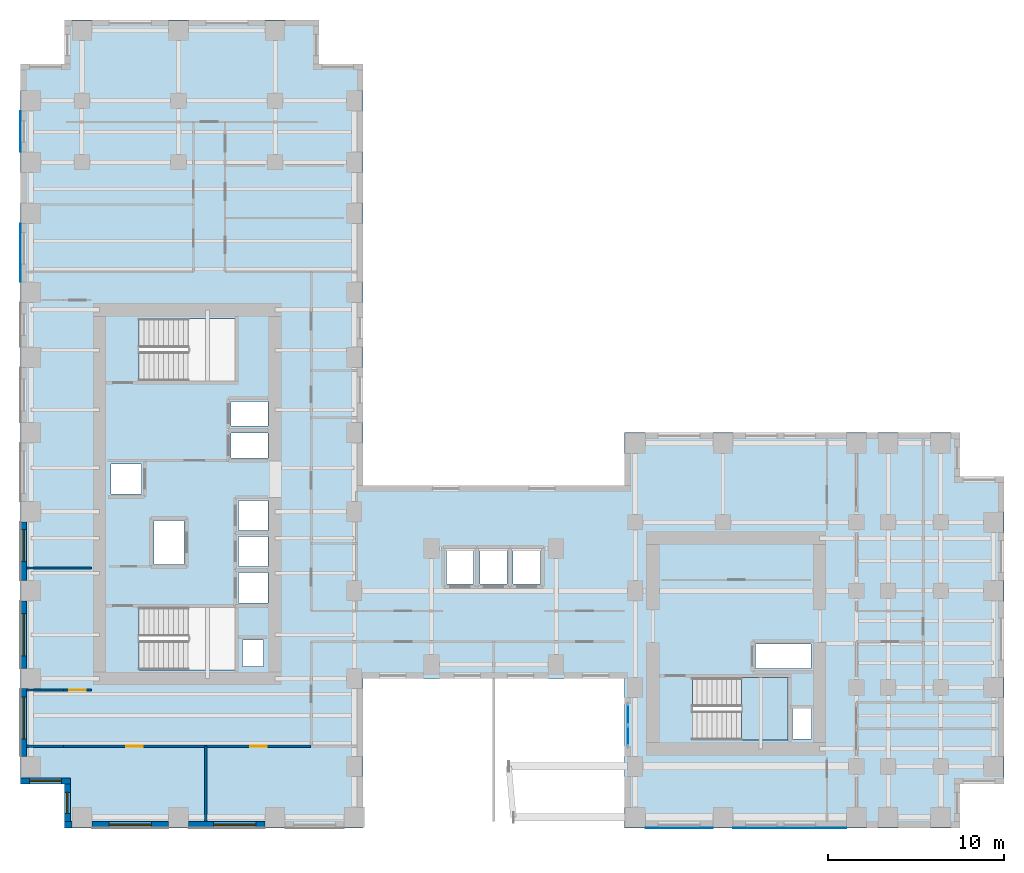
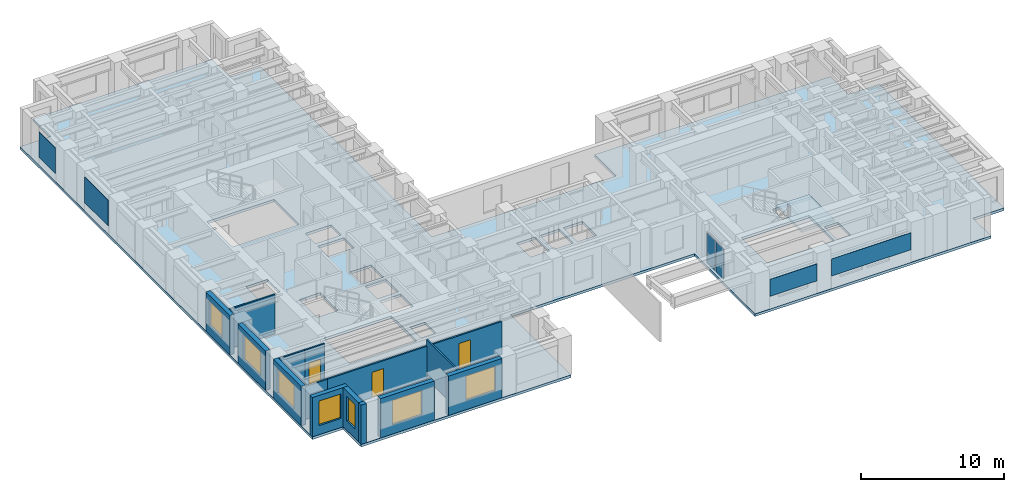
# One storey, part 6 of 14: 15 walls, 7 windows, 6 plates, 3 doors, 2 slabs, 10 openings, 2 elements without a shape of their own.
"""IFC4 building model written with IfcOpenShell, lengths in metres."""

from ifc_helpers import new_model, si_unit, direction, frame, frame_2d, origin, origin_2d, place, context, subcontext, project, spatial, polyline, rectangle, outline, extrude, source, transform, mapped, material, layer, layer_set, type_object, element, fill, aggregate, save


model = new_model("IFC4")

# Units and contexts
model_context = context("Model", 3, precision=1e-05, world=origin(), true_north=direction((0.0, 1.0)))
body_context = subcontext(model_context, "Body", "Model", "MODEL_VIEW")
ifc_project = project(units=[si_unit("LENGTHUNIT", "METRE"), si_unit("AREAUNIT", "SQUARE_METRE"), si_unit("VOLUMEUNIT", "CUBIC_METRE"), si_unit("PLANEANGLEUNIT", "RADIAN"), si_unit("MASSUNIT", "GRAM", prefix="KILO")], contexts=[model_context])

# Site, building, storey
site_placement = place(None, origin())
site = spatial("IfcSite", under=ifc_project, at=site_placement, CompositionType="ELEMENT")
building_placement = place(site_placement, origin())
building = spatial("IfcBuilding", under=site, at=building_placement, Name="Kharzan Plaza Tower", CompositionType="ELEMENT")
storey_placement = place(building_placement, frame((0.0, 0.0, 102.60009765625)))
storey = spatial("IfcBuildingStorey", under=building, at=storey_placement, Name="L27", CompositionType="ELEMENT", Elevation=102.60009765625)

# Slab
ifc_material_1 = material(Name="Concrete C40/50", Category="concrete")
ifc_layer_1 = layer(ifc_material_1, 0.219970703125)
ifc_layer_set_1 = layer_set([ifc_layer_1], Name="Concrete C40/50")
slab_type_1 = type_object("IfcSlabType", Name="SL-FLOOR-220", PredefinedType="FLOOR", material=ifc_layer_set_1)
slab_1_placement = place(storey_placement, frame((0.0, 0.0, -0.22021484375)))
element("IfcSlab", 1, at=slab_1_placement, inside=storey, type_object=slab_type_1, Name="L27 Composite Structural Floor Slab 220 mm", PredefinedType="FLOOR", context=body_context, shape_type="SweptSolid", body=[
    extrude(outline(polyline([(34.39990234375, 19.5), (19.5, 19.5), (19.5, 43.5), (17.0, 43.5), (17.0, 46.0), (2.5, 46.0), (2.5, 43.5), (0.0, 43.5), (0.0, 2.5), (2.5, 2.5), (2.5, 0.0), (19.5, 0.0), (19.5, 8.5), (34.39990234375, 8.5), (34.39990234375, 0.0), (53.5, 0.0), (53.5, 2.5), (56.0, 2.5), (56.0, 20.0), (53.5, 20.0), (53.5, 22.5), (34.39990234375, 22.5), (34.39990234375, 19.5)]), holes=[polyline([(12.199951171875, 9.0), (12.199951171875, 12.550048828125), (6.75, 12.550048828125), (6.75, 9.0), (12.199951171875, 9.0)]), polyline([(14.10009765625, 12.800048828125), (14.10009765625, 14.530029296875), (12.39990234375, 14.530029296875), (12.39990234375, 12.800048828125), (14.10009765625, 12.800048828125)]), polyline([(14.10009765625, 14.8701171875), (14.10009765625, 16.60009765625), (12.39990234375, 16.60009765625), (12.39990234375, 14.8701171875), (14.10009765625, 14.8701171875)]), polyline([(9.300048828125, 15.0), (9.300048828125, 17.5), (7.60009765625, 17.5), (7.60009765625, 15.0), (9.300048828125, 15.0)]), polyline([(6.89990234375, 19.010009765625), (6.89990234375, 20.72998046875), (5.14990234375, 20.72998046875), (5.14990234375, 19.010009765625), (6.89990234375, 19.010009765625)]), polyline([(14.10009765625, 21.070068359375), (14.10009765625, 22.489990234375), (12.0, 22.489990234375), (12.0, 21.070068359375), (14.10009765625, 21.070068359375)]), polyline([(14.10009765625, 22.8701171875), (14.10009765625, 24.2900390625), (12.0, 24.2900390625), (12.0, 22.8701171875), (14.10009765625, 22.8701171875)]), polyline([(12.199951171875, 25.449951171875), (12.199951171875, 29.0), (6.75, 29.0), (6.75, 25.449951171875), (12.199951171875, 25.449951171875)]), polyline([(45.050048828125, 5.050048828125), (45.050048828125, 6.800048828125), (43.949951171875, 6.800048828125), (43.949951171875, 5.050048828125), (45.050048828125, 5.050048828125)]), polyline([(43.699951171875, 5.0), (43.699951171875, 8.550048828125), (38.25, 8.550048828125), (38.25, 5.0), (43.699951171875, 5.0)]), polyline([(45.0, 9.070068359375), (45.0, 10.469970703125), (41.85009765625, 10.469970703125), (41.85009765625, 9.070068359375), (45.0, 9.070068359375)]), polyline([(13.85009765625, 9.199951171875), (13.85009765625, 10.699951171875), (12.64990234375, 10.699951171875), (12.64990234375, 9.199951171875), (13.85009765625, 9.199951171875)]), polyline([(25.800048828125, 13.89990234375), (25.800048828125, 15.85009765625), (24.25, 15.85009765625), (24.25, 13.89990234375), (25.800048828125, 13.89990234375)]), polyline([(27.699951171875, 13.89990234375), (27.699951171875, 15.85009765625), (26.14990234375, 15.85009765625), (26.14990234375, 13.89990234375), (27.699951171875, 13.89990234375)]), polyline([(29.60009765625, 13.89990234375), (29.60009765625, 15.85009765625), (28.050048828125, 15.85009765625), (28.050048828125, 13.89990234375), (29.60009765625, 13.89990234375)]), polyline([(14.10009765625, 16.93994140625), (14.10009765625, 18.64990234375), (12.39990234375, 18.64990234375), (12.39990234375, 16.93994140625), (14.10009765625, 16.93994140625)])]), origin(), (0.0, 0.0, 1.0), 0.22021484375),
])

# Stair, slab
stair_type = type_object("IfcStairType", Name="STR-ST-3", PredefinedType="HALF_TURN_STAIR", material=ifc_material_1)
stair_placement = place(storey_placement, origin())
stair = element("IfcStair", 2, at=stair_placement, inside=storey, type_object=stair_type, Name="L27 Protected Exit Stair ST-3", PredefinedType="HALF_TURN_STAIR")
ifc_layer_2 = layer(ifc_material_1, 0.219970703125)
ifc_layer_set_2 = layer_set([ifc_layer_2], Name="Concrete C40/50")
slab_type_2 = type_object("IfcSlabType", Name="SL-LANDING-220", PredefinedType="LANDING", material=ifc_layer_set_2)
slab_2_placement = place(storey_placement, frame((0.0, 0.0, 1.599853515625)))
slab_2 = element("IfcSlab", 3, at=slab_2_placement, type_object=slab_type_2, Name="ST-3 landing 1", PredefinedType="LANDING", context=body_context, shape_type="SweptSolid", body=[
    extrude(outline(polyline([(41.050048828125, 5.0), (43.699951171875, 5.0), (43.699951171875, 8.550048828125), (41.050048828125, 8.550048828125), (41.050048828125, 5.0)])), origin(), (0.0, 0.0, 1.0), 0.199951171875),
])
aggregate(stair, [slab_2])

# Curtain wall, plates
ifc_material_2 = material(Name="Unitised Bronze-Anodized Aluminium and Low-E Glass", Category="aluminium")
ifc_layer_3 = layer(ifc_material_2, 0.199951171875)
ifc_layer_set_3 = layer_set([ifc_layer_3], Name="Unitised Bronze-Anodized Aluminium and Low-E Glass")
curtain_wall_type = type_object("IfcCurtainWallType", Name="CW-SLOT-3", PredefinedType="NOTDEFINED", material=ifc_layer_set_3)
curtain_wall_placement = place(storey_placement, origin())
curtain_wall = element("IfcCurtainWall", 4, at=curtain_wall_placement, inside=storey, type_object=curtain_wall_type, Name="L27 East Slot Recessed Spine Curtain Wall", PredefinedType="NOTDEFINED")
ifc_material_3 = material(Name="Dark Solar-Control Double Glazing", Category="glass")
ifc_layer_4 = layer(ifc_material_3, 0.031982421875)
ifc_layer_set_4 = layer_set([ifc_layer_4], Name="Dark Solar-Control Double Glazing")
plate_type_1 = type_object("IfcPlateType", Name="PLT-CW-GLASS", PredefinedType="CURTAIN_PANEL", material=ifc_layer_set_4)
shared_shape_1 = source(origin(), body_context, "Body", "SweptSolid", [
    extrude(rectangle(XDim=1.080078125, YDim=0.031982421875, at=origin_2d()), origin(), (0.0, 0.0, 1.0), 2.5400390625),
])
plate_1_placement = place(storey_placement, frame((34.580078125, 5.25, 0.079833984375), z_axis=(0.0, 0.0, 1.0), x_axis=(0.0, 1.0, 0.0)))
plate_1 = element("IfcPlate", 5, at=plate_1_placement, type_object=plate_type_1, Name="L27 Curtain-Wall Glazed Panel 00", PredefinedType="CURTAIN_PANEL", context=body_context, shape_type="MappedRepresentation", body=[
    mapped(shared_shape_1, transform((0.0, 0.0, 0.0), x_axis=(1.0, 0.0, 0.0), y_axis=(0.0, 1.0, 0.0), z_axis=(0.0, 0.0, 1.0))),
])
plate_2_placement = place(storey_placement, frame((34.580078125, 6.449951171875, 0.079833984375), z_axis=(0.0, 0.0, 1.0), x_axis=(0.0, 1.0, 0.0)))
plate_2 = element("IfcPlate", 6, at=plate_2_placement, type_object=plate_type_1, Name="L27 Curtain-Wall Glazed Panel 01", PredefinedType="CURTAIN_PANEL", context=body_context, shape_type="MappedRepresentation", body=[
    mapped(shared_shape_1, transform((0.0, 0.0, 0.0), x_axis=(1.0, 0.0, 0.0), y_axis=(0.0, 1.0, 0.0), z_axis=(0.0, 0.0, 1.0))),
])
aggregate(curtain_wall, [plate_1, plate_2])

# Plates
ifc_material_4 = material(Name="Perforated Bronze-Anodized Aluminium", Category="aluminium")
ifc_layer_5 = layer(ifc_material_4, 0.030029296875)
ifc_layer_set_5 = layer_set([ifc_layer_5], Name="Perforated Bronze-Anodized Aluminium")
plate_type_2 = type_object("IfcPlateType", Name="PLT-MASH-SCREEN", PredefinedType="SHEET", material=ifc_layer_set_5)
shared_shape_2 = source(origin(), body_context, "Body", "SweptSolid", [
    extrude(rectangle(XDim=2.31396484375, YDim=0.030029296875, at=origin_2d()), origin(), (0.0, 0.0, 1.0), 2.199951171875),
])
plate_3_placement = place(storey_placement, frame((-0.012939453125, 39.64990234375, 0.72998046875), z_axis=(0.0, 0.0, 1.0), x_axis=(0.0, -1.0, 0.0)))
element("IfcPlate", 7, at=plate_3_placement, inside=storey, type_object=plate_type_2, Name="L27 Perforated Mashrabiya Solar Screen", PredefinedType="SHEET", context=body_context, shape_type="MappedRepresentation", body=[
    mapped(shared_shape_2, transform((0.0, 0.0, 0.0), x_axis=(1.0, 0.0, 0.0), y_axis=(0.0, 1.0, 0.0), z_axis=(0.0, 0.0, 1.0))),
])
shared_shape_3 = source(origin(), body_context, "Body", "SweptSolid", [
    extrude(rectangle(XDim=3.31396484375, YDim=0.030029296875, at=origin_2d()), origin(), (0.0, 0.0, 1.0), 2.199951171875),
])
plate_4_placement = place(storey_placement, frame((-0.012939453125, 32.75, 0.72998046875), z_axis=(0.0, 0.0, 1.0), x_axis=(0.0, -1.0, 0.0)))
element("IfcPlate", 8, at=plate_4_placement, inside=storey, type_object=plate_type_2, Name="L27 Perforated Mashrabiya Solar Screen", PredefinedType="SHEET", context=body_context, shape_type="MappedRepresentation", body=[
    mapped(shared_shape_3, transform((0.0, 0.0, 0.0), x_axis=(1.0, 0.0, 0.0), y_axis=(0.0, 1.0, 0.0), z_axis=(0.0, 0.0, 1.0))),
])
shared_shape_4 = source(origin(), body_context, "Body", "SweptSolid", [
    extrude(rectangle(XDim=3.81396484375, YDim=0.030029296875, at=origin_2d()), origin(), (0.0, 0.0, 1.0), 1.447998046875),
])
plate_5_placement = place(storey_placement, frame((37.5, -0.012939453125, 1.10595703125), z_axis=(0.0, 0.0, 1.0), x_axis=(1.0, 0.0, 0.0)))
element("IfcPlate", 9, at=plate_5_placement, inside=storey, type_object=plate_type_2, Name="L27 Perforated Mashrabiya Solar Screen", PredefinedType="SHEET", context=body_context, shape_type="MappedRepresentation", body=[
    mapped(shared_shape_4, transform((0.0, 0.0, 0.0), x_axis=(1.0, 0.0, 0.0), y_axis=(0.0, 1.0, 0.0), z_axis=(0.0, 0.0, 1.0))),
])
shared_shape_5 = source(origin(), body_context, "Body", "SweptSolid", [
    extrude(rectangle(XDim=6.4140625, YDim=0.030029296875, at=origin_2d()), origin(), (0.0, 0.0, 1.0), 1.447998046875),
])
plate_6_placement = place(storey_placement, frame((43.800048828125, -0.012939453125, 1.10595703125), z_axis=(0.0, 0.0, 1.0), x_axis=(1.0, 0.0, 0.0)))
element("IfcPlate", 10, at=plate_6_placement, inside=storey, type_object=plate_type_2, Name="L27 Perforated Mashrabiya Solar Screen", PredefinedType="SHEET", context=body_context, shape_type="MappedRepresentation", body=[
    mapped(shared_shape_5, transform((0.0, 0.0, 0.0), x_axis=(1.0, 0.0, 0.0), y_axis=(0.0, 1.0, 0.0), z_axis=(0.0, 0.0, 1.0))),
])

# Wall, opening, window
ifc_layer_6 = layer(ifc_material_1, 0.35009765625)
ifc_layer_set_6 = layer_set([ifc_layer_6], Name="Concrete C40/50")
wall_type_1 = type_object("IfcWallType", Name="WL-EXT-MAS-Z2", PredefinedType="SOLIDWALL", material=ifc_layer_set_6)
wall_1_placement = place(storey_placement, frame((0.175048828125, 17.427001953125, 0.0), z_axis=(0.0, 0.0, 1.0), x_axis=(0.0, -1.0, 0.0)))
wall_1 = element("IfcWall", 11, at=wall_1_placement, inside=storey, type_object=wall_type_1, Name="L27 Masonry-Frame Exterior Wall 23", PredefinedType="SOLIDWALL", context=body_context, shape_type="SweptSolid", body=[
    extrude(rectangle(XDim=3.35400390625, YDim=0.35009765625, at=frame_2d((1.677001953125, 0.0))), origin(), (0.0, 0.0, 1.0), 3.364990234375),
])
opening_1_placement = place(wall_1_placement, frame((0.448486328125, 0.0, 0.780029296875)))
opening_1 = element("IfcOpeningElement", 12, at=opening_1_placement, cuts=wall_1, Name="Opening W1", PredefinedType="OPENING", context=body_context, shape_type="SweptSolid", body=[
    extrude(rectangle(XDim=1.800048828125, YDim=2.10009765625, at=frame_2d((0.89990234375, 1.050048828125))), frame((0.0, 0.18505859375, 0.0), z_axis=(0.0, -1.0, 0.0), x_axis=(1.0, 0.0, 0.0)), (0.0, 0.0, 1.0), 0.3701171875),
])
ifc_material_5 = material(Name="Low-E Double Glazing", Category="glass")
window_type_1 = type_object("IfcWindowType", Name="WN-REC-1800x2100", PartitioningType="SINGLE_PANEL", PredefinedType="WINDOW", material=ifc_material_5)
shared_shape_6 = source(origin(), body_context, "Body", "SweptSolid", [
    extrude(rectangle(XDim=1.800048828125, YDim=2.10009765625, at=frame_2d((0.89990234375, 1.050048828125))), frame((0.0, 0.030029296875, 0.0), z_axis=(0.0, -1.0, 0.0), x_axis=(1.0, 0.0, 0.0)), (0.0, 0.0, 1.0), 0.06005859375),
])
window_1_placement = place(opening_1_placement, origin())
window_1 = element("IfcWindow", 13, at=window_1_placement, inside=storey, type_object=window_type_1, Name="L27 Recessed Solar-Control Window 23-1", OverallHeight=2.10009765625, OverallWidth=1.800048828125, PartitioningType="SINGLE_PANEL", PredefinedType="WINDOW", context=body_context, shape_type="MappedRepresentation", body=[
    mapped(shared_shape_6, transform((0.0, 0.0, 0.0), x_axis=(1.0, 0.0, 0.0), y_axis=(0.0, 1.0, 0.0), z_axis=(0.0, 0.0, 1.0))),
])
fill(opening_1, window_1)

wall_2_placement = place(storey_placement, frame((0.175048828125, 12.927001953125, 0.0), z_axis=(0.0, 0.0, 1.0), x_axis=(0.0, -1.0, 0.0)))
wall_2 = element("IfcWall", 14, at=wall_2_placement, inside=storey, type_object=wall_type_1, Name="L27 Masonry-Frame Exterior Wall 24", PredefinedType="SOLIDWALL", context=body_context, shape_type="SweptSolid", body=[
    extrude(rectangle(XDim=3.85400390625, YDim=0.35009765625, at=frame_2d((1.927001953125, 0.0))), origin(), (0.0, 0.0, 1.0), 3.364990234375),
])
opening_2_placement = place(wall_2_placement, frame((0.72705078125, 0.0, 0.780029296875)))
opening_2 = element("IfcOpeningElement", 15, at=opening_2_placement, cuts=wall_2, Name="Opening W2", PredefinedType="OPENING", context=body_context, shape_type="SweptSolid", body=[
    extrude(rectangle(XDim=2.39990234375, YDim=2.10009765625, at=frame_2d((1.199951171875, 1.050048828125))), frame((0.0, 0.18505859375, 0.0), z_axis=(0.0, -1.0, 0.0), x_axis=(1.0, 0.0, 0.0)), (0.0, 0.0, 1.0), 0.3701171875),
])
window_type_2 = type_object("IfcWindowType", Name="WN-REC-2400x2100", PartitioningType="SINGLE_PANEL", PredefinedType="WINDOW", material=ifc_material_5)
shared_shape_7 = source(origin(), body_context, "Body", "SweptSolid", [
    extrude(rectangle(XDim=2.39990234375, YDim=2.10009765625, at=frame_2d((1.199951171875, 1.050048828125))), frame((0.0, 0.030029296875, 0.0), z_axis=(0.0, -1.0, 0.0), x_axis=(1.0, 0.0, 0.0)), (0.0, 0.0, 1.0), 0.06005859375),
])
window_2_placement = place(opening_2_placement, origin())
window_2 = element("IfcWindow", 16, at=window_2_placement, inside=storey, type_object=window_type_2, Name="L27 Wide Recessed Solar-Control Window 24-1", OverallHeight=2.10009765625, OverallWidth=2.39990234375, PartitioningType="SINGLE_PANEL", PredefinedType="WINDOW", context=body_context, shape_type="MappedRepresentation", body=[
    mapped(shared_shape_7, transform((0.0, 0.0, 0.0), x_axis=(1.0, 0.0, 0.0), y_axis=(0.0, 1.0, 0.0), z_axis=(0.0, 0.0, 1.0))),
])
fill(opening_2, window_2)

wall_3_placement = place(storey_placement, frame((0.175048828125, 7.927001953125, 0.0), z_axis=(0.0, 0.0, 1.0), x_axis=(0.0, -1.0, 0.0)))
wall_3 = element("IfcWall", 17, at=wall_3_placement, inside=storey, type_object=wall_type_1, Name="L27 Masonry-Frame Exterior Wall 25", PredefinedType="SOLIDWALL", context=body_context, shape_type="SweptSolid", body=[
    extrude(rectangle(XDim=3.85400390625, YDim=0.35009765625, at=frame_2d((1.927001953125, 0.0))), origin(), (0.0, 0.0, 1.0), 3.364990234375),
])
opening_3_placement = place(wall_3_placement, frame((0.47705078125, 0.0, 0.780029296875)))
opening_3 = element("IfcOpeningElement", 18, at=opening_3_placement, cuts=wall_3, Name="Opening W2", PredefinedType="OPENING", context=body_context, shape_type="SweptSolid", body=[
    extrude(rectangle(XDim=2.39990234375, YDim=2.10009765625, at=frame_2d((1.199951171875, 1.050048828125))), frame((0.0, 0.18505859375, 0.0), z_axis=(0.0, -1.0, 0.0), x_axis=(1.0, 0.0, 0.0)), (0.0, 0.0, 1.0), 0.3701171875),
])
window_3_placement = place(opening_3_placement, origin())
window_3 = element("IfcWindow", 19, at=window_3_placement, inside=storey, type_object=window_type_2, Name="L27 Wide Recessed Solar-Control Window 25-1", OverallHeight=2.10009765625, OverallWidth=2.39990234375, PartitioningType="SINGLE_PANEL", PredefinedType="WINDOW", context=body_context, shape_type="MappedRepresentation", body=[
    mapped(shared_shape_7, transform((0.0, 0.0, 0.0), x_axis=(1.0, 0.0, 0.0), y_axis=(0.0, 1.0, 0.0), z_axis=(0.0, 0.0, 1.0))),
])
fill(opening_3, window_3)

wall_4_placement = place(storey_placement, frame((0.0, 2.675048828125, 0.0), z_axis=(0.0, 0.0, 1.0), x_axis=(1.0, 0.0, 0.0)))
wall_4 = element("IfcWall", 20, at=wall_4_placement, inside=storey, type_object=wall_type_1, Name="L27 Masonry-Frame Exterior Wall 26", PredefinedType="SOLIDWALL", context=body_context, shape_type="SweptSolid", body=[
    extrude(rectangle(XDim=2.85009765625, YDim=0.35009765625, at=frame_2d((1.425048828125, 0.0))), origin(), (0.0, 0.0, 1.0), 3.364990234375),
])
opening_4_placement = place(wall_4_placement, frame((0.52490234375, 0.0, 0.780029296875)))
opening_4 = element("IfcOpeningElement", 21, at=opening_4_placement, cuts=wall_4, Name="Opening W1", PredefinedType="OPENING", context=body_context, shape_type="SweptSolid", body=[
    extrude(rectangle(XDim=1.800048828125, YDim=2.10009765625, at=frame_2d((0.89990234375, 1.050048828125))), frame((0.0, 0.18505859375, 0.0), z_axis=(0.0, -1.0, 0.0), x_axis=(1.0, 0.0, 0.0)), (0.0, 0.0, 1.0), 0.3701171875),
])
window_4_placement = place(opening_4_placement, origin())
window_4 = element("IfcWindow", 22, at=window_4_placement, inside=storey, type_object=window_type_1, Name="L27 Recessed Solar-Control Window 26-1", OverallHeight=2.10009765625, OverallWidth=1.800048828125, PartitioningType="SINGLE_PANEL", PredefinedType="WINDOW", context=body_context, shape_type="MappedRepresentation", body=[
    mapped(shared_shape_6, transform((0.0, 0.0, 0.0), x_axis=(1.0, 0.0, 0.0), y_axis=(0.0, 1.0, 0.0), z_axis=(0.0, 0.0, 1.0))),
])
fill(opening_4, window_4)

wall_5_placement = place(storey_placement, frame((2.675048828125, 2.501953125, 0.0), z_axis=(0.0, 0.0, 1.0), x_axis=(0.0, -1.0, 0.0)))
wall_5 = element("IfcWall", 23, at=wall_5_placement, inside=storey, type_object=wall_type_1, Name="L27 Masonry-Frame Exterior Wall 27", PredefinedType="SOLIDWALL", context=body_context, shape_type="SweptSolid", body=[
    extrude(rectangle(XDim=2.154052734375, YDim=0.35009765625, at=frame_2d((1.0771484375, 0.0))), origin(), (0.0, 0.0, 1.0), 3.364990234375),
])
opening_5_placement = place(wall_5_placement, frame((0.47705078125, 0.0, 0.780029296875)))
opening_5 = element("IfcOpeningElement", 24, at=opening_5_placement, cuts=wall_5, Name="Opening W3", PredefinedType="OPENING", context=body_context, shape_type="SweptSolid", body=[
    extrude(rectangle(XDim=1.199951171875, YDim=2.10009765625, at=frame_2d((0.60009765625, 1.050048828125))), frame((0.0, 0.18505859375, 0.0), z_axis=(0.0, -1.0, 0.0), x_axis=(1.0, 0.0, 0.0)), (0.0, 0.0, 1.0), 0.3701171875),
])
window_type_3 = type_object("IfcWindowType", Name="WN-REC-1200x2100", PartitioningType="SINGLE_PANEL", PredefinedType="WINDOW", material=ifc_material_5)
shared_shape_8 = source(origin(), body_context, "Body", "SweptSolid", [
    extrude(rectangle(XDim=1.199951171875, YDim=2.10009765625, at=frame_2d((0.60009765625, 1.050048828125))), frame((0.0, 0.030029296875, 0.0), z_axis=(0.0, -1.0, 0.0), x_axis=(1.0, 0.0, 0.0)), (0.0, 0.0, 1.0), 0.06005859375),
])
window_5_placement = place(opening_5_placement, origin())
window_5 = element("IfcWindow", 25, at=window_5_placement, inside=storey, type_object=window_type_3, Name="L27 Recessed Solar-Control Window 27-1", OverallHeight=2.10009765625, OverallWidth=1.199951171875, PartitioningType="SINGLE_PANEL", PredefinedType="WINDOW", context=body_context, shape_type="MappedRepresentation", body=[
    mapped(shared_shape_8, transform((0.0, 0.0, 0.0), x_axis=(1.0, 0.0, 0.0), y_axis=(0.0, 1.0, 0.0), z_axis=(0.0, 0.0, 1.0))),
])
fill(opening_5, window_5)

wall_6_placement = place(storey_placement, frame((4.072998046875, 0.175048828125, 0.0), z_axis=(0.0, 0.0, 1.0), x_axis=(1.0, 0.0, 0.0)))
wall_6 = element("IfcWall", 26, at=wall_6_placement, inside=storey, type_object=wall_type_1, Name="L27 Masonry-Frame Exterior Wall 29", PredefinedType="SOLIDWALL", context=body_context, shape_type="SweptSolid", body=[
    extrude(rectangle(XDim=4.35400390625, YDim=0.35009765625, at=frame_2d((2.177001953125, 0.0))), origin(), (0.0, 0.0, 1.0), 3.364990234375),
])
opening_6_placement = place(wall_6_placement, frame((0.97705078125, 0.0, 0.780029296875)))
opening_6 = element("IfcOpeningElement", 27, at=opening_6_placement, cuts=wall_6, Name="Opening W2", PredefinedType="OPENING", context=body_context, shape_type="SweptSolid", body=[
    extrude(rectangle(XDim=2.39990234375, YDim=2.10009765625, at=frame_2d((1.199951171875, 1.050048828125))), frame((0.0, 0.18505859375, 0.0), z_axis=(0.0, -1.0, 0.0), x_axis=(1.0, 0.0, 0.0)), (0.0, 0.0, 1.0), 0.3701171875),
])
window_6_placement = place(opening_6_placement, origin())
window_6 = element("IfcWindow", 28, at=window_6_placement, inside=storey, type_object=window_type_2, Name="L27 Wide Recessed Solar-Control Window 29-1", OverallHeight=2.10009765625, OverallWidth=2.39990234375, PartitioningType="SINGLE_PANEL", PredefinedType="WINDOW", context=body_context, shape_type="MappedRepresentation", body=[
    mapped(shared_shape_7, transform((0.0, 0.0, 0.0), x_axis=(1.0, 0.0, 0.0), y_axis=(0.0, 1.0, 0.0), z_axis=(0.0, 0.0, 1.0))),
])
fill(opening_6, window_6)

wall_7_placement = place(storey_placement, frame((9.572998046875, 0.175048828125, 0.0), z_axis=(0.0, 0.0, 1.0), x_axis=(1.0, 0.0, 0.0)))
wall_7 = element("IfcWall", 29, at=wall_7_placement, inside=storey, type_object=wall_type_1, Name="L27 Masonry-Frame Exterior Wall 30", PredefinedType="SOLIDWALL", context=body_context, shape_type="SweptSolid", body=[
    extrude(rectangle(XDim=4.35400390625, YDim=0.35009765625, at=frame_2d((2.177001953125, 0.0))), origin(), (0.0, 0.0, 1.0), 3.364990234375),
])
opening_7_placement = place(wall_7_placement, frame((1.427490234375, 0.0, 0.780029296875)))
opening_7 = element("IfcOpeningElement", 30, at=opening_7_placement, cuts=wall_7, Name="Opening W2", PredefinedType="OPENING", context=body_context, shape_type="SweptSolid", body=[
    extrude(rectangle(XDim=2.39990234375, YDim=2.10009765625, at=frame_2d((1.199951171875, 1.050048828125))), frame((0.0, 0.18505859375, 0.0), z_axis=(0.0, -1.0, 0.0), x_axis=(1.0, 0.0, 0.0)), (0.0, 0.0, 1.0), 0.3701171875),
])
window_7_placement = place(opening_7_placement, origin())
window_7 = element("IfcWindow", 31, at=window_7_placement, inside=storey, type_object=window_type_2, Name="L27 Wide Recessed Solar-Control Window 30-1", OverallHeight=2.10009765625, OverallWidth=2.39990234375, PartitioningType="SINGLE_PANEL", PredefinedType="WINDOW", context=body_context, shape_type="MappedRepresentation", body=[
    mapped(shared_shape_7, transform((0.0, 0.0, 0.0), x_axis=(1.0, 0.0, 0.0), y_axis=(0.0, 1.0, 0.0), z_axis=(0.0, 0.0, 1.0))),
])
fill(opening_7, window_7)

# Wall, opening, door
ifc_material_6 = material(Name="Fire-Rated Gypsum Board Partition", Category="gypsum")
ifc_layer_7 = layer(ifc_material_6, 0.125)
ifc_layer_set_7 = layer_set([ifc_layer_7], Name="Fire-Rated Gypsum Board Partition")
wall_type_2 = type_object("IfcWallType", Name="WL-INT-PART-125", PredefinedType="PARTITIONING", material=ifc_layer_set_7)
wall_8_placement = place(storey_placement, frame((2.449951171875, 7.85009765625, 0.0), z_axis=(0.0, 0.0, 1.0), x_axis=(1.0, 0.0, 0.0)))
wall_8 = element("IfcWall", 32, at=wall_8_placement, inside=storey, type_object=wall_type_2, Name="L27 Interior Partition SH-RWSD", PredefinedType="PARTITIONING", context=body_context, shape_type="SweptSolid", body=[
    extrude(rectangle(XDim=1.60009765625, YDim=0.125, at=frame_2d((0.800048828125, 0.0))), origin(), (0.0, 0.0, 1.0), 3.364990234375),
])
opening_8_placement = place(wall_8_placement, frame((0.324951171875, 0.0, 0.0)))
opening_8 = element("IfcOpeningElement", 33, at=opening_8_placement, cuts=wall_8, Name="Opening OD1", PredefinedType="OPENING", context=body_context, shape_type="SweptSolid", body=[
    extrude(rectangle(XDim=0.949951171875, YDim=2.14990234375, at=frame_2d((0.47509765625, 1.074951171875))), frame((0.0, 0.072509765625, 0.0), z_axis=(0.0, -1.0, 0.0), x_axis=(1.0, 0.0, 0.0)), (0.0, 0.0, 1.0), 0.14501953125),
])
ifc_material_7 = material(Name="Acoustic Solid-Core Stained Oak", Category="timber")
door_type = type_object("IfcDoorType", Name="DR-OFF-SINGLE", OperationType="NOTDEFINED", PredefinedType="DOOR", material=ifc_material_7)
shared_shape_9 = source(origin(), body_context, "Body", "SweptSolid", [
    extrude(rectangle(XDim=0.949951171875, YDim=2.14990234375, at=frame_2d((0.47509765625, 1.074951171875))), frame((0.0, 0.02490234375, 0.0), z_axis=(0.0, -1.0, 0.0), x_axis=(1.0, 0.0, 0.0)), (0.0, 0.0, 1.0), 0.050048828125),
])
door_1_placement = place(opening_8_placement, origin())
door_1 = element("IfcDoor", 34, at=door_1_placement, inside=storey, type_object=door_type, Name="L27 West Office 1 Door", OperationType="SINGLE_SWING_LEFT", OverallHeight=2.14990234375, OverallWidth=0.949951171875, PredefinedType="DOOR", context=body_context, shape_type="MappedRepresentation", body=[
    mapped(shared_shape_9, transform((0.0, 0.0, 0.0), x_axis=(1.0, 0.0, 0.0), y_axis=(0.0, 1.0, 0.0), z_axis=(0.0, 0.0, 1.0))),
])
fill(opening_8, door_1)

wall_9_placement = place(storey_placement, frame((2.449951171875, 4.64990234375, 0.0), z_axis=(0.0, 0.0, 1.0), x_axis=(1.0, 0.0, 0.0)))
wall_9 = element("IfcWall", 35, at=wall_9_placement, inside=storey, type_object=wall_type_2, Name="L27 Interior Partition SH-SS-1", PredefinedType="PARTITIONING", context=body_context, shape_type="SweptSolid", body=[
    extrude(rectangle(XDim=8.093994140625, YDim=0.125, at=frame_2d((4.046875, 0.0))), origin(), (0.0, 0.0, 1.0), 2.827880859375),
])
opening_9_placement = place(wall_9_placement, frame((3.572021484375, 0.0, 0.0)))
opening_9 = element("IfcOpeningElement", 36, at=opening_9_placement, cuts=wall_9, Name="Opening OD1", PredefinedType="OPENING", context=body_context, shape_type="SweptSolid", body=[
    extrude(rectangle(XDim=0.949951171875, YDim=2.14990234375, at=frame_2d((0.47509765625, 1.074951171875))), frame((0.0, 0.072509765625, 0.0), z_axis=(0.0, -1.0, 0.0), x_axis=(1.0, 0.0, 0.0)), (0.0, 0.0, 1.0), 0.14501953125),
])
door_2_placement = place(opening_9_placement, origin())
door_2 = element("IfcDoor", 37, at=door_2_placement, inside=storey, type_object=door_type, Name="L27 Software Engineering Office Door", OperationType="SINGLE_SWING_LEFT", OverallHeight=2.14990234375, OverallWidth=0.949951171875, PredefinedType="DOOR", context=body_context, shape_type="MappedRepresentation", body=[
    mapped(shared_shape_9, transform((0.0, 0.0, 0.0), x_axis=(1.0, 0.0, 0.0), y_axis=(0.0, 1.0, 0.0), z_axis=(0.0, 0.0, 1.0))),
])
fill(opening_9, door_2)

wall_10_placement = place(storey_placement, frame((10.5439453125, 4.64990234375, 0.0), z_axis=(0.0, 0.0, 1.0), x_axis=(1.0, 0.0, 0.0)))
wall_10 = element("IfcWall", 38, at=wall_10_placement, inside=storey, type_object=wall_type_2, Name="L27 Interior Partition SH-SS-2", PredefinedType="PARTITIONING", context=body_context, shape_type="SweptSolid", body=[
    extrude(rectangle(XDim=6.006103515625, YDim=0.125, at=frame_2d((3.0029296875, 0.0))), origin(), (0.0, 0.0, 1.0), 2.827880859375),
])
opening_10_placement = place(wall_10_placement, frame((2.528076171875, 0.0, 0.0)))
opening_10 = element("IfcOpeningElement", 39, at=opening_10_placement, cuts=wall_10, Name="Opening OD1", PredefinedType="OPENING", context=body_context, shape_type="SweptSolid", body=[
    extrude(rectangle(XDim=0.949951171875, YDim=2.14990234375, at=frame_2d((0.47509765625, 1.074951171875))), frame((0.0, 0.072509765625, 0.0), z_axis=(0.0, -1.0, 0.0), x_axis=(1.0, 0.0, 0.0)), (0.0, 0.0, 1.0), 0.14501953125),
])
door_3_placement = place(opening_10_placement, origin())
door_3 = element("IfcDoor", 40, at=door_3_placement, inside=storey, type_object=door_type, Name="L27 Cloud Architecture Office Door", OperationType="SINGLE_SWING_RIGHT", OverallHeight=2.14990234375, OverallWidth=0.949951171875, PredefinedType="DOOR", context=body_context, shape_type="MappedRepresentation", body=[
    mapped(shared_shape_9, transform((0.0, 0.0, 0.0), x_axis=(1.0, 0.0, 0.0), y_axis=(0.0, 1.0, 0.0), z_axis=(0.0, 0.0, 1.0))),
])
fill(opening_10, door_3)

# Walls
shared_shape_10 = source(origin(), body_context, "Body", "SweptSolid", [
    extrude(rectangle(XDim=2.097900390625, YDim=0.125, at=frame_2d((1.048828125, 0.0))), origin(), (0.0, 0.0, 1.0), 2.827880859375),
])
wall_11_placement = place(storey_placement, frame((0.35205078125, 4.64990234375, 0.0), z_axis=(0.0, 0.0, 1.0), x_axis=(1.0, 0.0, 0.0)))
element("IfcWall", 41, at=wall_11_placement, inside=storey, type_object=wall_type_2, Name="L27 Interior Partition SH-SS-EXT", PredefinedType="PARTITIONING", context=body_context, shape_type="MappedRepresentation", body=[
    mapped(shared_shape_10, transform((0.0, 0.0, 0.0), x_axis=(1.0, 0.0, 0.0), y_axis=(0.0, 1.0, 0.0), z_axis=(0.0, 0.0, 1.0))),
])
shared_shape_11 = source(origin(), body_context, "Body", "SweptSolid", [
    extrude(rectangle(XDim=4.2978515625, YDim=0.125, at=frame_2d((2.14892578125, 0.0))), origin(), (0.0, 0.0, 1.0), 3.364990234375),
])
wall_12_placement = place(storey_placement, frame((10.5439453125, 0.35205078125, 0.0), z_axis=(0.0, 0.0, 1.0), x_axis=(0.0, 1.0, 0.0)))
element("IfcWall", 42, at=wall_12_placement, inside=storey, type_object=wall_type_2, Name="L27 Interior Partition SH-SV-1", PredefinedType="PARTITIONING", context=body_context, shape_type="MappedRepresentation", body=[
    mapped(shared_shape_11, transform((0.0, 0.0, 0.0), x_axis=(1.0, 0.0, 0.0), y_axis=(0.0, 1.0, 0.0), z_axis=(0.0, 0.0, 1.0))),
])
shared_shape_12 = source(origin(), body_context, "Body", "SweptSolid", [
    extrude(rectangle(XDim=2.097900390625, YDim=0.125, at=frame_2d((1.048828125, 0.0))), origin(), (0.0, 0.0, 1.0), 3.364990234375),
])
wall_13_placement = place(storey_placement, frame((0.35205078125, 7.85009765625, 0.0), z_axis=(0.0, 0.0, 1.0), x_axis=(1.0, 0.0, 0.0)))
element("IfcWall", 43, at=wall_13_placement, inside=storey, type_object=wall_type_2, Name="L27 Interior Partition SH-RWS0", PredefinedType="PARTITIONING", context=body_context, shape_type="MappedRepresentation", body=[
    mapped(shared_shape_12, transform((0.0, 0.0, 0.0), x_axis=(1.0, 0.0, 0.0), y_axis=(0.0, 1.0, 0.0), z_axis=(0.0, 0.0, 1.0))),
])
shared_shape_13 = source(origin(), body_context, "Body", "SweptSolid", [
    extrude(rectangle(XDim=0.427001953125, YDim=0.35009765625, at=frame_2d((0.21337890625, 0.0))), origin(), (0.0, 0.0, 1.0), 3.364990234375),
])
wall_14_placement = place(storey_placement, frame((2.5, 0.175048828125, 0.0), z_axis=(0.0, 0.0, 1.0), x_axis=(1.0, 0.0, 0.0)))
element("IfcWall", 44, at=wall_14_placement, inside=storey, type_object=wall_type_1, Name="L27 Masonry-Frame Exterior Wall 28", PredefinedType="SOLIDWALL", context=body_context, shape_type="MappedRepresentation", body=[
    mapped(shared_shape_13, transform((0.0, 0.0, 0.0), x_axis=(1.0, 0.0, 0.0), y_axis=(0.0, 1.0, 0.0), z_axis=(0.0, 0.0, 1.0))),
])
shared_shape_14 = source(origin(), body_context, "Body", "SweptSolid", [
    extrude(rectangle(XDim=3.697998046875, YDim=0.125, at=frame_2d((1.84912109375, 0.0))), origin(), (0.0, 0.0, 1.0), 3.364990234375),
])
wall_15_placement = place(storey_placement, frame((0.35205078125, 14.800048828125, 0.0), z_axis=(0.0, 0.0, 1.0), x_axis=(1.0, 0.0, 0.0)))
element("IfcWall", 45, at=wall_15_placement, inside=storey, type_object=wall_type_2, Name="L27 Interior Partition SH-WMID", PredefinedType="PARTITIONING", context=body_context, shape_type="MappedRepresentation", body=[
    mapped(shared_shape_14, transform((0.0, 0.0, 0.0), x_axis=(1.0, 0.0, 0.0), y_axis=(0.0, 1.0, 0.0), z_axis=(0.0, 0.0, 1.0))),
])

save(model, "model.ifc")
